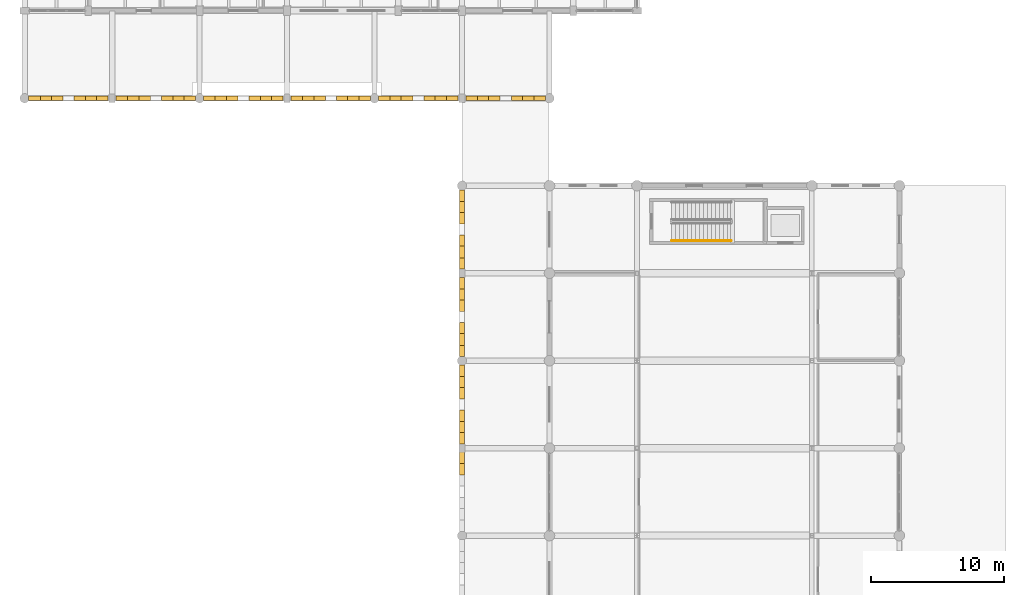
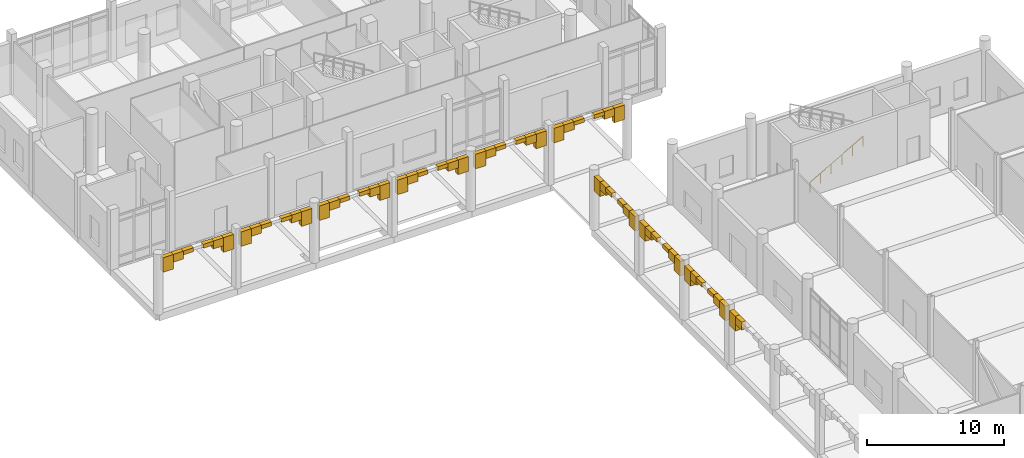
# One storey, part 62 of 72: 56 coverings, 1 railing.
"""IFC4 building model written with IfcOpenShell, lengths in metres."""

from ifc_helpers import new_model, si_unit, direction, frame, origin, origin_2d, place, context, subcontext, project, spatial, rectangle, circle, extrude, material, layer, layer_set, type_object, element, save


model = new_model("IFC4")

# Units and contexts
model_context = context("Model", 3, precision=1e-05, world=origin(), true_north=direction((0.0, 1.0)))
body_context = subcontext(model_context, "Body", "Model", "MODEL_VIEW")
ifc_project = project(units=[si_unit("LENGTHUNIT", "METRE"), si_unit("AREAUNIT", "SQUARE_METRE"), si_unit("VOLUMEUNIT", "CUBIC_METRE"), si_unit("PLANEANGLEUNIT", "RADIAN"), si_unit("MASSUNIT", "GRAM", prefix="KILO")], contexts=[model_context])

# Site, building, storey
site_placement = place(None, origin())
site = spatial("IfcSite", under=ifc_project, at=site_placement, CompositionType="ELEMENT")
building_placement = place(site_placement, origin())
building = spatial("IfcBuilding", under=site, at=building_placement, Name="Dornvale Research Institute", CompositionType="ELEMENT")
storey_placement = place(building_placement, origin())
storey = spatial("IfcBuildingStorey", under=building, at=storey_placement, Name="L00", CompositionType="ELEMENT", Elevation=0.0)

# Coverings
ifc_material_1 = material(Name="Architectural Glazed Terracotta Voussoir Cladding", Category="masonry")
ifc_layer_1 = layer(ifc_material_1, 0.360107421875)
ifc_layer_set_1 = layer_set([ifc_layer_1], Name="Architectural Glazed Terracotta Voussoir Cladding")
covering_type = type_object("IfcCoveringType", Name="Covering_Arcade_ParabolicArch", PredefinedType="CLADDING", material=ifc_layer_set_1)
covering_1_placement = place(storey_placement, frame((0.74560546875, 92.39990234375, 3.57275390625), z_axis=(0.0, 0.0, 1.0), x_axis=(1.0, 0.0, 0.0)))
element("IfcCovering", 1, at=covering_1_placement, inside=storey, type_object=covering_type, Name="Dornvale Square parabolic colonnade arch segment #8", PredefinedType="CLADDING", context=body_context, shape_type="SweptSolid", body=[
    extrude(rectangle(XDim=0.871337890625, YDim=0.360107421875, at=origin_2d()), origin(), (0.0, 0.0, 1.0), 1.307373046875),
])
covering_2_placement = place(storey_placement, frame((1.59716796875, 92.39990234375, 4.1767578125), z_axis=(0.0, 0.0, 1.0), x_axis=(1.0, 0.0, 0.0)))
element("IfcCovering", 2, at=covering_2_placement, inside=storey, type_object=covering_type, Name="Dornvale Square parabolic colonnade arch segment #9", PredefinedType="CLADDING", context=body_context, shape_type="SweptSolid", body=[
    extrude(rectangle(XDim=0.871337890625, YDim=0.360107421875, at=origin_2d()), origin(), (0.0, 0.0, 1.0), 0.703369140625),
])
for number, where, z_axis, x_axis, name in (
    (3, (2.448486328125, 92.39990234375, 4.539306640625), (0.0, 0.0, 1.0), (1.0, 0.0, 0.0), "Dornvale Square parabolic colonnade arch segment #10"),
    (4, (4.1513671875, 92.39990234375, 4.539306640625), (0.0, 0.0, 1.0), (1.0, 0.0, 0.0), "Dornvale Square parabolic colonnade arch segment #12"),
):
    element("IfcCovering", number, at=place(storey_placement, frame(where, z_axis=z_axis, x_axis=x_axis)), inside=storey, type_object=covering_type, Name=name, PredefinedType="CLADDING", context=body_context, shape_type="SweptSolid", body=[
        extrude(rectangle(XDim=0.871337890625, YDim=0.360107421875, at=origin_2d()), origin(), (0.0, 0.0, 1.0), 0.3408203125),
    ])
covering_3_placement = place(storey_placement, frame((5.0029296875, 92.39990234375, 4.1767578125), z_axis=(0.0, 0.0, 1.0), x_axis=(1.0, 0.0, 0.0)))
element("IfcCovering", 5, at=covering_3_placement, inside=storey, type_object=covering_type, Name="Dornvale Square parabolic colonnade arch segment #13", PredefinedType="CLADDING", context=body_context, shape_type="SweptSolid", body=[
    extrude(rectangle(XDim=0.871337890625, YDim=0.360107421875, at=origin_2d()), origin(), (0.0, 0.0, 1.0), 0.703369140625),
])
for number, where, z_axis, x_axis, name in (
    (6, (5.854248046875, 92.39990234375, 3.57275390625), (0.0, 0.0, 1.0), (1.0, 0.0, 0.0), "Dornvale Square parabolic colonnade arch segment #14"),
    (7, (7.345703125, 92.39990234375, 3.57275390625), (0.0, 0.0, 1.0), (1.0, 0.0, 0.0), "Dornvale Square parabolic colonnade arch segment #22"),
):
    element("IfcCovering", number, at=place(storey_placement, frame(where, z_axis=z_axis, x_axis=x_axis)), inside=storey, type_object=covering_type, Name=name, PredefinedType="CLADDING", context=body_context, shape_type="SweptSolid", body=[
        extrude(rectangle(XDim=0.871337890625, YDim=0.360107421875, at=origin_2d()), origin(), (0.0, 0.0, 1.0), 1.307373046875),
    ])
covering_4_placement = place(storey_placement, frame((8.197021484375, 92.39990234375, 4.1767578125), z_axis=(0.0, 0.0, 1.0), x_axis=(1.0, 0.0, 0.0)))
element("IfcCovering", 8, at=covering_4_placement, inside=storey, type_object=covering_type, Name="Dornvale Square parabolic colonnade arch segment #23", PredefinedType="CLADDING", context=body_context, shape_type="SweptSolid", body=[
    extrude(rectangle(XDim=0.871337890625, YDim=0.360107421875, at=origin_2d()), origin(), (0.0, 0.0, 1.0), 0.703369140625),
])
for number, where, z_axis, x_axis, name in (
    (9, (9.048583984375, 92.39990234375, 4.539306640625), (0.0, 0.0, 1.0), (1.0, 0.0, 0.0), "Dornvale Square parabolic colonnade arch segment #24"),
    (10, (10.75146484375, 92.39990234375, 4.539306640625), (0.0, 0.0, 1.0), (1.0, 0.0, 0.0), "Dornvale Square parabolic colonnade arch segment #26"),
):
    element("IfcCovering", number, at=place(storey_placement, frame(where, z_axis=z_axis, x_axis=x_axis)), inside=storey, type_object=covering_type, Name=name, PredefinedType="CLADDING", context=body_context, shape_type="SweptSolid", body=[
        extrude(rectangle(XDim=0.871337890625, YDim=0.360107421875, at=origin_2d()), origin(), (0.0, 0.0, 1.0), 0.3408203125),
    ])
covering_5_placement = place(storey_placement, frame((11.602783203125, 92.39990234375, 4.1767578125), z_axis=(0.0, 0.0, 1.0), x_axis=(1.0, 0.0, 0.0)))
element("IfcCovering", 11, at=covering_5_placement, inside=storey, type_object=covering_type, Name="Dornvale Square parabolic colonnade arch segment #27", PredefinedType="CLADDING", context=body_context, shape_type="SweptSolid", body=[
    extrude(rectangle(XDim=0.871337890625, YDim=0.360107421875, at=origin_2d()), origin(), (0.0, 0.0, 1.0), 0.703369140625),
])
for number, where, z_axis, x_axis, name in (
    (12, (12.454345703125, 92.39990234375, 3.57275390625), (0.0, 0.0, 1.0), (1.0, 0.0, 0.0), "Dornvale Square parabolic colonnade arch segment #28"),
    (13, (13.94580078125, 92.39990234375, 3.57275390625), (0.0, 0.0, 1.0), (1.0, 0.0, 0.0), "Dornvale Square parabolic colonnade arch segment #36"),
):
    element("IfcCovering", number, at=place(storey_placement, frame(where, z_axis=z_axis, x_axis=x_axis)), inside=storey, type_object=covering_type, Name=name, PredefinedType="CLADDING", context=body_context, shape_type="SweptSolid", body=[
        extrude(rectangle(XDim=0.871337890625, YDim=0.360107421875, at=origin_2d()), origin(), (0.0, 0.0, 1.0), 1.307373046875),
    ])
covering_6_placement = place(storey_placement, frame((14.797119140625, 92.39990234375, 4.1767578125), z_axis=(0.0, 0.0, 1.0), x_axis=(1.0, 0.0, 0.0)))
element("IfcCovering", 14, at=covering_6_placement, inside=storey, type_object=covering_type, Name="Dornvale Square parabolic colonnade arch segment #37", PredefinedType="CLADDING", context=body_context, shape_type="SweptSolid", body=[
    extrude(rectangle(XDim=0.871337890625, YDim=0.360107421875, at=origin_2d()), origin(), (0.0, 0.0, 1.0), 0.703369140625),
])
for number, where, z_axis, x_axis, name in (
    (15, (15.648681640625, 92.39990234375, 4.539306640625), (0.0, 0.0, 1.0), (1.0, 0.0, 0.0), "Dornvale Square parabolic colonnade arch segment #38"),
    (16, (17.351318359375, 92.39990234375, 4.539306640625), (0.0, 0.0, 1.0), (1.0, 0.0, 0.0), "Dornvale Square parabolic colonnade arch segment #40"),
):
    element("IfcCovering", number, at=place(storey_placement, frame(where, z_axis=z_axis, x_axis=x_axis)), inside=storey, type_object=covering_type, Name=name, PredefinedType="CLADDING", context=body_context, shape_type="SweptSolid", body=[
        extrude(rectangle(XDim=0.871337890625, YDim=0.360107421875, at=origin_2d()), origin(), (0.0, 0.0, 1.0), 0.3408203125),
    ])
covering_7_placement = place(storey_placement, frame((18.202880859375, 92.39990234375, 4.1767578125), z_axis=(0.0, 0.0, 1.0), x_axis=(1.0, 0.0, 0.0)))
element("IfcCovering", 17, at=covering_7_placement, inside=storey, type_object=covering_type, Name="Dornvale Square parabolic colonnade arch segment #41", PredefinedType="CLADDING", context=body_context, shape_type="SweptSolid", body=[
    extrude(rectangle(XDim=0.871337890625, YDim=0.360107421875, at=origin_2d()), origin(), (0.0, 0.0, 1.0), 0.703369140625),
])
for number, where, z_axis, x_axis, name in (
    (18, (19.05419921875, 92.39990234375, 3.57275390625), (0.0, 0.0, 1.0), (1.0, 0.0, 0.0), "Dornvale Square parabolic colonnade arch segment #42"),
    (19, (20.545654296875, 92.39990234375, 3.57275390625), (0.0, 0.0, 1.0), (1.0, 0.0, 0.0), "Dornvale Square parabolic colonnade arch segment #50"),
):
    element("IfcCovering", number, at=place(storey_placement, frame(where, z_axis=z_axis, x_axis=x_axis)), inside=storey, type_object=covering_type, Name=name, PredefinedType="CLADDING", context=body_context, shape_type="SweptSolid", body=[
        extrude(rectangle(XDim=0.871337890625, YDim=0.360107421875, at=origin_2d()), origin(), (0.0, 0.0, 1.0), 1.307373046875),
    ])
covering_8_placement = place(storey_placement, frame((21.397216796875, 92.39990234375, 4.1767578125), z_axis=(0.0, 0.0, 1.0), x_axis=(1.0, 0.0, 0.0)))
element("IfcCovering", 20, at=covering_8_placement, inside=storey, type_object=covering_type, Name="Dornvale Square parabolic colonnade arch segment #51", PredefinedType="CLADDING", context=body_context, shape_type="SweptSolid", body=[
    extrude(rectangle(XDim=0.871337890625, YDim=0.360107421875, at=origin_2d()), origin(), (0.0, 0.0, 1.0), 0.703369140625),
])
for number, where, z_axis, x_axis, name in (
    (21, (22.24853515625, 92.39990234375, 4.539306640625), (0.0, 0.0, 1.0), (1.0, 0.0, 0.0), "Dornvale Square parabolic colonnade arch segment #52"),
    (22, (23.951416015625, 92.39990234375, 4.539306640625), (0.0, 0.0, 1.0), (1.0, 0.0, 0.0), "Dornvale Square parabolic colonnade arch segment #54"),
):
    element("IfcCovering", number, at=place(storey_placement, frame(where, z_axis=z_axis, x_axis=x_axis)), inside=storey, type_object=covering_type, Name=name, PredefinedType="CLADDING", context=body_context, shape_type="SweptSolid", body=[
        extrude(rectangle(XDim=0.871337890625, YDim=0.360107421875, at=origin_2d()), origin(), (0.0, 0.0, 1.0), 0.3408203125),
    ])
covering_9_placement = place(storey_placement, frame((24.802978515625, 92.39990234375, 4.1767578125), z_axis=(0.0, 0.0, 1.0), x_axis=(1.0, 0.0, 0.0)))
element("IfcCovering", 23, at=covering_9_placement, inside=storey, type_object=covering_type, Name="Dornvale Square parabolic colonnade arch segment #55", PredefinedType="CLADDING", context=body_context, shape_type="SweptSolid", body=[
    extrude(rectangle(XDim=0.871337890625, YDim=0.360107421875, at=origin_2d()), origin(), (0.0, 0.0, 1.0), 0.703369140625),
])
for number, where, z_axis, x_axis, name in (
    (24, (25.654296875, 92.39990234375, 3.57275390625), (0.0, 0.0, 1.0), (1.0, 0.0, 0.0), "Dornvale Square parabolic colonnade arch segment #56"),
    (25, (27.145751953125, 92.39990234375, 3.57275390625), (0.0, 0.0, 1.0), (1.0, 0.0, 0.0), "Dornvale Square parabolic colonnade arch segment #64"),
):
    element("IfcCovering", number, at=place(storey_placement, frame(where, z_axis=z_axis, x_axis=x_axis)), inside=storey, type_object=covering_type, Name=name, PredefinedType="CLADDING", context=body_context, shape_type="SweptSolid", body=[
        extrude(rectangle(XDim=0.871337890625, YDim=0.360107421875, at=origin_2d()), origin(), (0.0, 0.0, 1.0), 1.307373046875),
    ])
covering_10_placement = place(storey_placement, frame((27.9970703125, 92.39990234375, 4.1767578125), z_axis=(0.0, 0.0, 1.0), x_axis=(1.0, 0.0, 0.0)))
element("IfcCovering", 26, at=covering_10_placement, inside=storey, type_object=covering_type, Name="Dornvale Square parabolic colonnade arch segment #65", PredefinedType="CLADDING", context=body_context, shape_type="SweptSolid", body=[
    extrude(rectangle(XDim=0.871337890625, YDim=0.360107421875, at=origin_2d()), origin(), (0.0, 0.0, 1.0), 0.703369140625),
])
for number, where, z_axis, x_axis, name in (
    (27, (28.8486328125, 92.39990234375, 4.539306640625), (0.0, 0.0, 1.0), (1.0, 0.0, 0.0), "Dornvale Square parabolic colonnade arch segment #66"),
    (28, (30.551513671875, 92.39990234375, 4.539306640625), (0.0, 0.0, 1.0), (1.0, 0.0, 0.0), "Dornvale Square parabolic colonnade arch segment #68"),
):
    element("IfcCovering", number, at=place(storey_placement, frame(where, z_axis=z_axis, x_axis=x_axis)), inside=storey, type_object=covering_type, Name=name, PredefinedType="CLADDING", context=body_context, shape_type="SweptSolid", body=[
        extrude(rectangle(XDim=0.871337890625, YDim=0.360107421875, at=origin_2d()), origin(), (0.0, 0.0, 1.0), 0.3408203125),
    ])
covering_11_placement = place(storey_placement, frame((31.40283203125, 92.39990234375, 4.1767578125), z_axis=(0.0, 0.0, 1.0), x_axis=(1.0, 0.0, 0.0)))
element("IfcCovering", 29, at=covering_11_placement, inside=storey, type_object=covering_type, Name="Dornvale Square parabolic colonnade arch segment #69", PredefinedType="CLADDING", context=body_context, shape_type="SweptSolid", body=[
    extrude(rectangle(XDim=0.871337890625, YDim=0.360107421875, at=origin_2d()), origin(), (0.0, 0.0, 1.0), 0.703369140625),
])
for number, where, z_axis, x_axis, name in (
    (30, (32.25439453125, 92.39990234375, 3.57275390625), (0.0, 0.0, 1.0), (1.0, 0.0, 0.0), "Dornvale Square parabolic colonnade arch segment #70"),
    (31, (33.74560546875, 92.39990234375, 3.57275390625), (0.0, 0.0, 1.0), (1.0, 0.0, 0.0), "Dornvale Square parabolic colonnade arch segment #78"),
):
    element("IfcCovering", number, at=place(storey_placement, frame(where, z_axis=z_axis, x_axis=x_axis)), inside=storey, type_object=covering_type, Name=name, PredefinedType="CLADDING", context=body_context, shape_type="SweptSolid", body=[
        extrude(rectangle(XDim=0.871337890625, YDim=0.360107421875, at=origin_2d()), origin(), (0.0, 0.0, 1.0), 1.307373046875),
    ])
covering_12_placement = place(storey_placement, frame((34.59716796875, 92.39990234375, 4.1767578125), z_axis=(0.0, 0.0, 1.0), x_axis=(1.0, 0.0, 0.0)))
element("IfcCovering", 32, at=covering_12_placement, inside=storey, type_object=covering_type, Name="Dornvale Square parabolic colonnade arch segment #79", PredefinedType="CLADDING", context=body_context, shape_type="SweptSolid", body=[
    extrude(rectangle(XDim=0.871337890625, YDim=0.360107421875, at=origin_2d()), origin(), (0.0, 0.0, 1.0), 0.703369140625),
])
for number, where, z_axis, x_axis, name in (
    (33, (35.448486328125, 92.39990234375, 4.539306640625), (0.0, 0.0, 1.0), (1.0, 0.0, 0.0), "Dornvale Square parabolic colonnade arch segment #80"),
    (34, (37.1513671875, 92.39990234375, 4.539306640625), (0.0, 0.0, 1.0), (1.0, 0.0, 0.0), "Dornvale Square parabolic colonnade arch segment #82"),
):
    element("IfcCovering", number, at=place(storey_placement, frame(where, z_axis=z_axis, x_axis=x_axis)), inside=storey, type_object=covering_type, Name=name, PredefinedType="CLADDING", context=body_context, shape_type="SweptSolid", body=[
        extrude(rectangle(XDim=0.871337890625, YDim=0.360107421875, at=origin_2d()), origin(), (0.0, 0.0, 1.0), 0.3408203125),
    ])
covering_13_placement = place(storey_placement, frame((38.0029296875, 92.39990234375, 4.1767578125), z_axis=(0.0, 0.0, 1.0), x_axis=(1.0, 0.0, 0.0)))
element("IfcCovering", 35, at=covering_13_placement, inside=storey, type_object=covering_type, Name="Dornvale Square parabolic colonnade arch segment #83", PredefinedType="CLADDING", context=body_context, shape_type="SweptSolid", body=[
    extrude(rectangle(XDim=0.871337890625, YDim=0.360107421875, at=origin_2d()), origin(), (0.0, 0.0, 1.0), 0.703369140625),
])
covering_14_placement = place(storey_placement, frame((38.854248046875, 92.39990234375, 3.57275390625), z_axis=(0.0, 0.0, 1.0), x_axis=(1.0, 0.0, 0.0)))
element("IfcCovering", 36, at=covering_14_placement, inside=storey, type_object=covering_type, Name="Dornvale Square parabolic colonnade arch segment #84", PredefinedType="CLADDING", context=body_context, shape_type="SweptSolid", body=[
    extrude(rectangle(XDim=0.871337890625, YDim=0.360107421875, at=origin_2d()), origin(), (0.0, 0.0, 1.0), 1.307373046875),
])
covering_15_placement = place(storey_placement, frame((33.0, 64.40283203125, 4.1767578125), z_axis=(0.0, 0.0, 1.0), x_axis=(0.0, 1.0, 0.0)))
element("IfcCovering", 37, at=covering_15_placement, inside=storey, type_object=covering_type, Name="Dornvale Square parabolic colonnade arch segment #111", PredefinedType="CLADDING", context=body_context, shape_type="SweptSolid", body=[
    extrude(rectangle(XDim=0.871337890625, YDim=0.360107421875, at=origin_2d()), origin(), (0.0, 0.0, 1.0), 0.703369140625),
])
for number, where, z_axis, x_axis, name in (
    (38, (33.0, 65.25439453125, 3.57275390625), (0.0, 0.0, 1.0), (0.0, 1.0, 0.0), "Dornvale Square parabolic colonnade arch segment #112"),
    (39, (33.0, 66.74560546875, 3.57275390625), (0.0, 0.0, 1.0), (0.0, 1.0, 0.0), "Dornvale Square parabolic colonnade arch segment #113"),
):
    element("IfcCovering", number, at=place(storey_placement, frame(where, z_axis=z_axis, x_axis=x_axis)), inside=storey, type_object=covering_type, Name=name, PredefinedType="CLADDING", context=body_context, shape_type="SweptSolid", body=[
        extrude(rectangle(XDim=0.871337890625, YDim=0.360107421875, at=origin_2d()), origin(), (0.0, 0.0, 1.0), 1.307373046875),
    ])
covering_16_placement = place(storey_placement, frame((33.0, 67.59716796875, 4.1767578125), z_axis=(0.0, 0.0, 1.0), x_axis=(0.0, 1.0, 0.0)))
element("IfcCovering", 40, at=covering_16_placement, inside=storey, type_object=covering_type, Name="Dornvale Square parabolic colonnade arch segment #114", PredefinedType="CLADDING", context=body_context, shape_type="SweptSolid", body=[
    extrude(rectangle(XDim=0.871337890625, YDim=0.360107421875, at=origin_2d()), origin(), (0.0, 0.0, 1.0), 0.703369140625),
])
for number, where, z_axis, x_axis, name in (
    (41, (33.0, 68.448486328125, 4.539306640625), (0.0, 0.0, 1.0), (0.0, 1.0, 0.0), "Dornvale Square parabolic colonnade arch segment #115"),
    (42, (33.0, 70.1513671875, 4.539306640625), (0.0, 0.0, 1.0), (0.0, 1.0, 0.0), "Dornvale Square parabolic colonnade arch segment #117"),
):
    element("IfcCovering", number, at=place(storey_placement, frame(where, z_axis=z_axis, x_axis=x_axis)), inside=storey, type_object=covering_type, Name=name, PredefinedType="CLADDING", context=body_context, shape_type="SweptSolid", body=[
        extrude(rectangle(XDim=0.871337890625, YDim=0.360107421875, at=origin_2d()), origin(), (0.0, 0.0, 1.0), 0.3408203125),
    ])
covering_17_placement = place(storey_placement, frame((33.0, 71.0029296875, 4.1767578125), z_axis=(0.0, 0.0, 1.0), x_axis=(0.0, 1.0, 0.0)))
element("IfcCovering", 43, at=covering_17_placement, inside=storey, type_object=covering_type, Name="Dornvale Square parabolic colonnade arch segment #118", PredefinedType="CLADDING", context=body_context, shape_type="SweptSolid", body=[
    extrude(rectangle(XDim=0.871337890625, YDim=0.360107421875, at=origin_2d()), origin(), (0.0, 0.0, 1.0), 0.703369140625),
])
for number, where, z_axis, x_axis, name in (
    (44, (33.0, 71.854248046875, 3.57275390625), (0.0, 0.0, 1.0), (0.0, 1.0, 0.0), "Dornvale Square parabolic colonnade arch segment #119"),
    (45, (33.0, 73.345703125, 3.57275390625), (0.0, 0.0, 1.0), (0.0, 1.0, 0.0), "Dornvale Square parabolic colonnade arch segment #120"),
):
    element("IfcCovering", number, at=place(storey_placement, frame(where, z_axis=z_axis, x_axis=x_axis)), inside=storey, type_object=covering_type, Name=name, PredefinedType="CLADDING", context=body_context, shape_type="SweptSolid", body=[
        extrude(rectangle(XDim=0.871337890625, YDim=0.360107421875, at=origin_2d()), origin(), (0.0, 0.0, 1.0), 1.307373046875),
    ])
covering_18_placement = place(storey_placement, frame((33.0, 74.197021484375, 4.1767578125), z_axis=(0.0, 0.0, 1.0), x_axis=(0.0, 1.0, 0.0)))
element("IfcCovering", 46, at=covering_18_placement, inside=storey, type_object=covering_type, Name="Dornvale Square parabolic colonnade arch segment #121", PredefinedType="CLADDING", context=body_context, shape_type="SweptSolid", body=[
    extrude(rectangle(XDim=0.871337890625, YDim=0.360107421875, at=origin_2d()), origin(), (0.0, 0.0, 1.0), 0.703369140625),
])
for number, where, z_axis, x_axis, name in (
    (47, (33.0, 75.048583984375, 4.539306640625), (0.0, 0.0, 1.0), (0.0, 1.0, 0.0), "Dornvale Square parabolic colonnade arch segment #122"),
    (48, (33.0, 76.75146484375, 4.539306640625), (0.0, 0.0, 1.0), (0.0, 1.0, 0.0), "Dornvale Square parabolic colonnade arch segment #124"),
):
    element("IfcCovering", number, at=place(storey_placement, frame(where, z_axis=z_axis, x_axis=x_axis)), inside=storey, type_object=covering_type, Name=name, PredefinedType="CLADDING", context=body_context, shape_type="SweptSolid", body=[
        extrude(rectangle(XDim=0.871337890625, YDim=0.360107421875, at=origin_2d()), origin(), (0.0, 0.0, 1.0), 0.3408203125),
    ])
covering_19_placement = place(storey_placement, frame((33.0, 77.602783203125, 4.1767578125), z_axis=(0.0, 0.0, 1.0), x_axis=(0.0, 1.0, 0.0)))
element("IfcCovering", 49, at=covering_19_placement, inside=storey, type_object=covering_type, Name="Dornvale Square parabolic colonnade arch segment #125", PredefinedType="CLADDING", context=body_context, shape_type="SweptSolid", body=[
    extrude(rectangle(XDim=0.871337890625, YDim=0.360107421875, at=origin_2d()), origin(), (0.0, 0.0, 1.0), 0.703369140625),
])
for number, where, z_axis, x_axis, name in (
    (50, (33.0, 78.454345703125, 3.57275390625), (0.0, 0.0, 1.0), (0.0, 1.0, 0.0), "Dornvale Square parabolic colonnade arch segment #126"),
    (51, (33.0, 79.94580078125, 3.57275390625), (0.0, 0.0, 1.0), (0.0, 1.0, 0.0), "Dornvale Square parabolic colonnade arch segment #127"),
):
    element("IfcCovering", number, at=place(storey_placement, frame(where, z_axis=z_axis, x_axis=x_axis)), inside=storey, type_object=covering_type, Name=name, PredefinedType="CLADDING", context=body_context, shape_type="SweptSolid", body=[
        extrude(rectangle(XDim=0.871337890625, YDim=0.360107421875, at=origin_2d()), origin(), (0.0, 0.0, 1.0), 1.307373046875),
    ])
covering_20_placement = place(storey_placement, frame((33.0, 80.797119140625, 4.1767578125), z_axis=(0.0, 0.0, 1.0), x_axis=(0.0, 1.0, 0.0)))
element("IfcCovering", 52, at=covering_20_placement, inside=storey, type_object=covering_type, Name="Dornvale Square parabolic colonnade arch segment #128", PredefinedType="CLADDING", context=body_context, shape_type="SweptSolid", body=[
    extrude(rectangle(XDim=0.871337890625, YDim=0.360107421875, at=origin_2d()), origin(), (0.0, 0.0, 1.0), 0.703369140625),
])
for number, where, z_axis, x_axis, name in (
    (53, (33.0, 81.648681640625, 4.539306640625), (0.0, 0.0, 1.0), (0.0, 1.0, 0.0), "Dornvale Square parabolic colonnade arch segment #129"),
    (54, (33.0, 83.351318359375, 4.539306640625), (0.0, 0.0, 1.0), (0.0, 1.0, 0.0), "Dornvale Square parabolic colonnade arch segment #131"),
):
    element("IfcCovering", number, at=place(storey_placement, frame(where, z_axis=z_axis, x_axis=x_axis)), inside=storey, type_object=covering_type, Name=name, PredefinedType="CLADDING", context=body_context, shape_type="SweptSolid", body=[
        extrude(rectangle(XDim=0.871337890625, YDim=0.360107421875, at=origin_2d()), origin(), (0.0, 0.0, 1.0), 0.3408203125),
    ])
covering_21_placement = place(storey_placement, frame((33.0, 84.202880859375, 4.1767578125), z_axis=(0.0, 0.0, 1.0), x_axis=(0.0, 1.0, 0.0)))
element("IfcCovering", 55, at=covering_21_placement, inside=storey, type_object=covering_type, Name="Dornvale Square parabolic colonnade arch segment #132", PredefinedType="CLADDING", context=body_context, shape_type="SweptSolid", body=[
    extrude(rectangle(XDim=0.871337890625, YDim=0.360107421875, at=origin_2d()), origin(), (0.0, 0.0, 1.0), 0.703369140625),
])
covering_22_placement = place(storey_placement, frame((33.0, 85.05419921875, 3.57275390625), z_axis=(0.0, 0.0, 1.0), x_axis=(0.0, 1.0, 0.0)))
element("IfcCovering", 56, at=covering_22_placement, inside=storey, type_object=covering_type, Name="Dornvale Square parabolic colonnade arch segment #133", PredefinedType="CLADDING", context=body_context, shape_type="SweptSolid", body=[
    extrude(rectangle(XDim=0.871337890625, YDim=0.360107421875, at=origin_2d()), origin(), (0.0, 0.0, 1.0), 1.307373046875),
])

# Railing
ifc_material_2 = material(Name="Galvanized Painted Tubular Steel Stair Rail", Category="steel")
ifc_layer_2 = layer(ifc_material_2, 0.044921875)
ifc_layer_set_2 = layer_set([ifc_layer_2], Name="Galvanized Painted Tubular Steel Stair Rail")
railing_type = type_object("IfcRailingType", Name="Railing_Stair_Handrail_900", PredefinedType="HANDRAIL", material=ifc_layer_set_2)
railing_placement = place(storey_placement, frame((48.820068359375, 81.64990234375, 0.168701171875)))
element("IfcRailing", 57, at=railing_placement, inside=storey, type_object=railing_type, Name="L00 ST-8 stair handrail 1", PredefinedType="HANDRAIL", context=body_context, shape_type="SweptSolid", body=[
    extrude(circle(Radius=0.02392578125, at=origin_2d()), frame((0.0, 0.0, 0.8759765625), z_axis=(0.871575537125, 0.0, 0.490261239633), x_axis=(0.0, 1.0, 0.0)), (0.0, 0.0, 1.0), 5.1630859375),
    extrude(circle(Radius=0.02099609375, at=origin_2d()), origin(), (0.0, 0.0, 1.0), 0.851806640625),
    extrude(circle(Radius=0.02099609375, at=origin_2d()), frame((0.89990234375, 0.0, 0.50634765625)), (0.0, 0.0, 1.0), 0.851806640625),
    extrude(circle(Radius=0.02099609375, at=origin_2d()), frame((1.800048828125, 0.0, 1.012451171875)), (0.0, 0.0, 1.0), 0.851806640625),
    extrude(circle(Radius=0.02099609375, at=origin_2d()), frame((2.699951171875, 0.0, 1.518798828125)), (0.0, 0.0, 1.0), 0.851806640625),
    extrude(circle(Radius=0.02099609375, at=origin_2d()), frame((3.60009765625, 0.0, 2.02490234375)), (0.0, 0.0, 1.0), 0.851806640625),
    extrude(circle(Radius=0.02099609375, at=origin_2d()), frame((4.5, 0.0, 2.53125)), (0.0, 0.0, 1.0), 0.851806640625),
])

save(model, "model.ifc")
